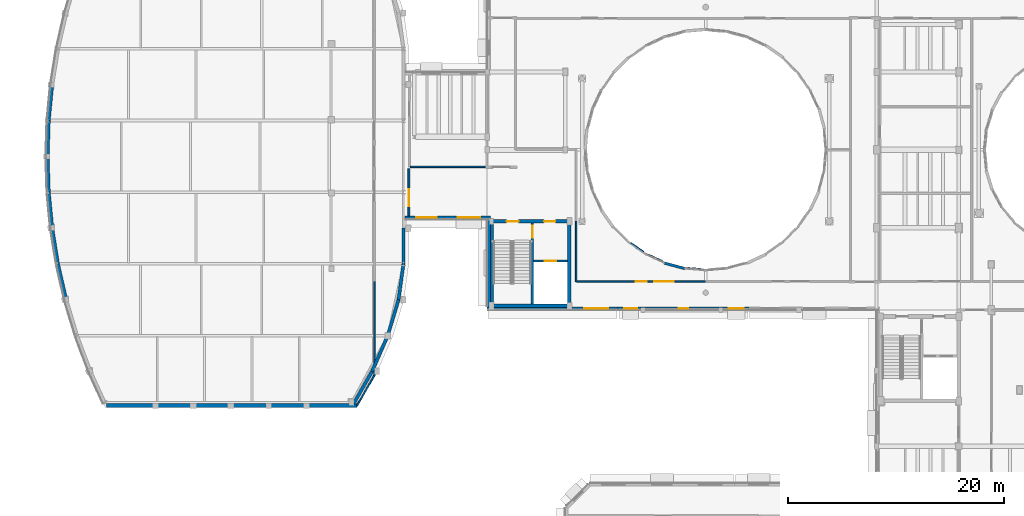
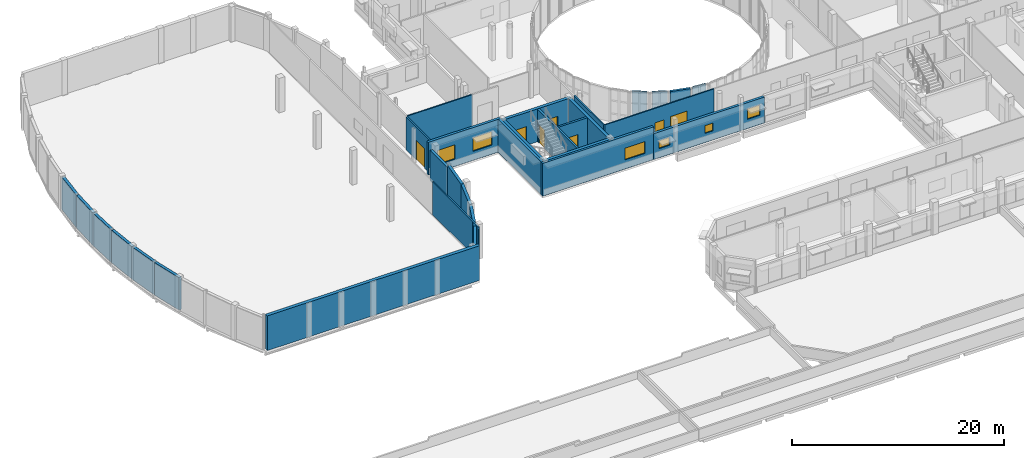
# One storey, part 75 of 105: 32 walls, 7 windows, 6 doors, 13 openings.
"""IFC4 building model written with IfcOpenShell, lengths in metres."""

from ifc_helpers import new_model, si_unit, direction, frame, frame_2d, origin, place, context, subcontext, project, spatial, rectangle, extrude, material, layer, layer_set, type_object, element, fill, save


model = new_model("IFC4")

# Units and contexts
model_context = context("Model", 3, precision=1e-05, world=origin(), true_north=direction((0.0, 1.0)))
body_context = subcontext(model_context, "Body", "Model", "MODEL_VIEW")
ifc_project = project(units=[si_unit("LENGTHUNIT", "METRE"), si_unit("AREAUNIT", "SQUARE_METRE"), si_unit("VOLUMEUNIT", "CUBIC_METRE"), si_unit("PLANEANGLEUNIT", "RADIAN"), si_unit("MASSUNIT", "GRAM", prefix="KILO")], contexts=[model_context])

# Site, building, storey
site_placement = place(None, origin())
site = spatial("IfcSite", under=ifc_project, at=site_placement, CompositionType="ELEMENT")
building_placement = place(site_placement, origin())
building = spatial("IfcBuilding", under=site, at=building_placement, Name="Kelanivale Promenade Academy", CompositionType="ELEMENT")
storey_placement = place(building_placement, frame((0.0, 0.0, 4.199951171875)))
storey = spatial("IfcBuildingStorey", under=building, at=storey_placement, Name="L01", CompositionType="ELEMENT", Elevation=4.199951171875)

# Wall
ifc_material_1 = material(Name="Concrete C40/50", Category="concrete")
ifc_layer_1 = layer(ifc_material_1, 0.330078125)
ifc_layer_set_1 = layer_set([ifc_layer_1], Name="Concrete C40/50")
wall_type_1 = type_object("IfcWallType", Name="CW-S1 Wall 330mm", PredefinedType="SHEAR", material=ifc_layer_set_1)
wall_1_placement = place(storey_placement, frame((43.43505859375, 42.39990234375, 0.0), z_axis=(0.0, 0.0, 1.0), x_axis=(1.0, 0.0, 0.0)))
element("IfcWall", 1, at=wall_1_placement, inside=storey, type_object=wall_type_1, Name="CORE-6 RC shear wall S L01", PredefinedType="SHEAR", context=body_context, shape_type="SweptSolid", body=[
    extrude(rectangle(XDim=7.530029296875, YDim=0.330078125, at=frame_2d((3.76513671875, 0.0))), origin(), (0.0, 0.0, 1.0), 3.780029296875),
])

# Wall, openings, doors
wall_2_placement = place(storey_placement, frame((43.43505859375, 50.199951171875, 0.0), z_axis=(0.0, 0.0, 1.0), x_axis=(1.0, 0.0, 0.0)))
wall_2 = element("IfcWall", 2, at=wall_2_placement, inside=storey, type_object=wall_type_1, Name="CORE-6 RC shear wall N L01", PredefinedType="SHEAR", context=body_context, shape_type="SweptSolid", body=[
    extrude(rectangle(XDim=7.530029296875, YDim=0.330078125, at=frame_2d((3.76513671875, 0.0))), origin(), (0.0, 0.0, 1.0), 3.780029296875),
])
opening_1_placement = place(wall_2_placement, frame((5.014892578125, 0.0, 0.0)))
opening_1 = element("IfcOpeningElement", 3, at=opening_1_placement, cuts=wall_2, Name="Opening FD-CORE-6-LB-L01", PredefinedType="OPENING", context=body_context, shape_type="SweptSolid", body=[
    extrude(rectangle(XDim=1.050048828125, YDim=2.14990234375, at=frame_2d((0.52490234375, 1.074951171875))), frame((0.0, 0.175048828125, 0.0), z_axis=(0.0, -1.0, 0.0), x_axis=(1.0, 0.0, 0.0)), (0.0, 0.0, 1.0), 0.35009765625),
])
opening_2_placement = place(wall_2_placement, frame((1.56494140625, 0.0, 0.0)))
opening_2 = element("IfcOpeningElement", 4, at=opening_2_placement, cuts=wall_2, Name="Opening FD-CORE-6-ST-L01", PredefinedType="OPENING", context=body_context, shape_type="SweptSolid", body=[
    extrude(rectangle(XDim=1.10009765625, YDim=2.14990234375, at=frame_2d((0.550048828125, 1.074951171875))), frame((0.0, 0.175048828125, 0.0), z_axis=(0.0, -1.0, 0.0), x_axis=(1.0, 0.0, 0.0)), (0.0, 0.0, 1.0), 0.35009765625),
])
ifc_material_2 = material(Name="Fire-rated steel-core teak veneer", Category="steel")
door_type_1 = type_object("IfcDoorType", Name="DT-F01 Door 1100x2150", OperationType="NOTDEFINED", PredefinedType="DOOR", material=ifc_material_2)
door_1_placement = place(opening_2_placement, origin())
door_1 = element("IfcDoor", 5, at=door_1_placement, inside=storey, type_object=door_type_1, Name="CORE-6 protected stair fire door L01", OperationType="SINGLE_SWING_LEFT", OverallHeight=2.14990234375, OverallWidth=1.10009765625, PredefinedType="DOOR", context=body_context, shape_type="SweptSolid", body=[
    extrude(rectangle(XDim=1.10009765625, YDim=2.14990234375, at=frame_2d((0.550048828125, 1.074951171875))), frame((0.0, 0.02490234375, 0.0), z_axis=(0.0, -1.0, 0.0), x_axis=(1.0, 0.0, 0.0)), (0.0, 0.0, 1.0), 0.050048828125),
])
fill(opening_2, door_1)
door_type_2 = type_object("IfcDoorType", Name="DT-F03 Door 1050x2150", OperationType="NOTDEFINED", PredefinedType="DOOR", material=ifc_material_2)
door_2_placement = place(opening_1_placement, origin())
door_2 = element("IfcDoor", 6, at=door_2_placement, inside=storey, type_object=door_type_2, Name="CORE-6 corridor-to-lobby fire door L01", OperationType="SINGLE_SWING_RIGHT", OverallHeight=2.14990234375, OverallWidth=1.050048828125, PredefinedType="DOOR", context=body_context, shape_type="SweptSolid", body=[
    extrude(rectangle(XDim=1.050048828125, YDim=2.14990234375, at=frame_2d((0.52490234375, 1.074951171875))), frame((0.0, 0.02490234375, 0.0), z_axis=(0.0, -1.0, 0.0), x_axis=(1.0, 0.0, 0.0)), (0.0, 0.0, 1.0), 0.050048828125),
])
fill(opening_1, door_2)

# Walls
for number, where, z_axis, x_axis, name in (
    (7, (43.60009765625, 42.56494140625, 0.0), (0.0, 0.0, 1.0), (0.0, 1.0, 0.0), "CORE-6 RC shear wall W L01"),
    (8, (50.800048828125, 42.56494140625, 0.0), (0.0, 0.0, 1.0), (0.0, 1.0, 0.0), "CORE-6 RC shear wall E L01"),
):
    element("IfcWall", number, at=place(storey_placement, frame(where, z_axis=z_axis, x_axis=x_axis)), inside=storey, type_object=wall_type_1, Name=name, PredefinedType="SHEAR", context=body_context, shape_type="SweptSolid", body=[
        extrude(rectangle(XDim=7.469970703125, YDim=0.330078125, at=frame_2d((3.73486328125, 0.0))), origin(), (0.0, 0.0, 1.0), 3.780029296875),
    ])

# Wall, opening, door
ifc_layer_2 = layer(ifc_material_1, 0.22509765625)
ifc_layer_set_2 = layer_set([ifc_layer_2], Name="Concrete C40/50")
wall_type_2 = type_object("IfcWallType", Name="CW-S2 Wall 225mm", PredefinedType="SHEAR", material=ifc_layer_set_2)
wall_3_placement = place(storey_placement, frame((47.485107421875, 46.530029296875, 0.0), z_axis=(0.0, 0.0, 1.0), x_axis=(1.0, 0.0, 0.0)))
wall_3 = element("IfcWall", 9, at=wall_3_placement, inside=storey, type_object=wall_type_2, Name="CORE-6 lift shaft front RC wall L01", PredefinedType="SHEAR", context=body_context, shape_type="SweptSolid", body=[
    extrude(rectangle(XDim=3.14990234375, YDim=0.22509765625, at=frame_2d((1.574951171875, 0.0))), origin(), (0.0, 0.0, 1.0), 3.780029296875),
])
opening_3_placement = place(wall_3_placement, frame((1.050048828125, 0.0, 0.0)))
opening_3 = element("IfcOpeningElement", 10, at=opening_3_placement, cuts=wall_3, Name="Opening LD-LF-P4-L01", PredefinedType="OPENING", context=body_context, shape_type="SweptSolid", body=[
    extrude(rectangle(XDim=1.050048828125, YDim=2.199951171875, at=frame_2d((0.52490234375, 1.10009765625))), frame((0.0, 0.12255859375, 0.0), z_axis=(0.0, -1.0, 0.0), x_axis=(1.0, 0.0, 0.0)), (0.0, 0.0, 1.0), 0.2451171875),
])
door_type_3 = type_object("IfcDoorType", Name="LD-PL1 Door 1050x2200", OperationType="NOTDEFINED", PredefinedType="DOOR", material=ifc_material_2)
door_3_placement = place(opening_3_placement, origin())
door_3 = element("IfcDoor", 11, at=door_3_placement, inside=storey, type_object=door_type_3, Name="Passenger lift landing door LD-LF-P4-L01", OperationType="SLIDING_TO_LEFT", OverallHeight=2.199951171875, OverallWidth=1.050048828125, PredefinedType="DOOR", context=body_context, shape_type="SweptSolid", body=[
    extrude(rectangle(XDim=1.050048828125, YDim=2.199951171875, at=frame_2d((0.52490234375, 1.10009765625))), frame((0.0, 0.02490234375, 0.0), z_axis=(0.0, -1.0, 0.0), x_axis=(1.0, 0.0, 0.0)), (0.0, 0.0, 1.0), 0.050048828125),
])
fill(opening_3, door_3)

ifc_layer_3 = layer(ifc_material_1, 0.219970703125)
ifc_layer_set_3 = layer_set([ifc_layer_3], Name="Concrete C40/50")
wall_type_3 = type_object("IfcWallType", Name="CW-S3 Wall 220mm", PredefinedType="SHEAR", material=ifc_layer_set_3)
wall_4_placement = place(storey_placement, frame((47.375, 42.56494140625, 0.0), z_axis=(0.0, 0.0, 1.0), x_axis=(0.0, 1.0, 0.0)))
wall_4 = element("IfcWall", 12, at=wall_4_placement, inside=storey, type_object=wall_type_3, Name="CORE-6 stair-lobby dividing RC wall L01", PredefinedType="SHEAR", context=body_context, shape_type="SweptSolid", body=[
    extrude(rectangle(XDim=7.469970703125, YDim=0.219970703125, at=frame_2d((3.73486328125, 0.0))), origin(), (0.0, 0.0, 1.0), 3.780029296875),
])
opening_4_placement = place(wall_4_placement, frame((6.1201171875, 0.0, 0.0)))
opening_4 = element("IfcOpeningElement", 13, at=opening_4_placement, cuts=wall_4, Name="Opening FD-CORE-6-SL-L01", PredefinedType="OPENING", context=body_context, shape_type="SweptSolid", body=[
    extrude(rectangle(XDim=1.10009765625, YDim=2.14990234375, at=frame_2d((0.550048828125, 1.074951171875))), frame((0.0, 0.1201171875, 0.0), z_axis=(0.0, -1.0, 0.0), x_axis=(1.0, 0.0, 0.0)), (0.0, 0.0, 1.0), 0.239990234375),
])
door_4_placement = place(opening_4_placement, origin())
door_4 = element("IfcDoor", 14, at=door_4_placement, inside=storey, type_object=door_type_1, Name="CORE-6 lobby-to-stair fire door L01", OperationType="SINGLE_SWING_LEFT", OverallHeight=2.14990234375, OverallWidth=1.10009765625, PredefinedType="DOOR", context=body_context, shape_type="SweptSolid", body=[
    extrude(rectangle(XDim=1.10009765625, YDim=2.14990234375, at=frame_2d((0.550048828125, 1.074951171875))), frame((0.0, 0.02490234375, 0.0), z_axis=(0.0, -1.0, 0.0), x_axis=(1.0, 0.0, 0.0)), (0.0, 0.0, 1.0), 0.050048828125),
])
fill(opening_4, door_4)

# Walls
ifc_layer_4 = layer(ifc_material_1, 0.360107421875)
ifc_layer_set_4 = layer_set([ifc_layer_4], Name="Concrete C40/50")
wall_type_4 = type_object("IfcWallType", Name="ESW-01 Wall 360mm", PredefinedType="SHEAR", material=ifc_layer_set_4)
wall_5_placement = place(storey_placement, frame((8.011962890625, 33.179931640625, 0.0), z_axis=(0.0, 0.0, 1.0), x_axis=(1.0, 0.0, 0.0)))
element("IfcWall", 15, at=wall_5_placement, inside=storey, type_object=wall_type_4, Name="Sports Hall Crescent Pavilion gable wall L01", PredefinedType="SHEAR", context=body_context, shape_type="SweptSolid", body=[
    extrude(rectangle(XDim=23.137939453125, YDim=0.360107421875, at=frame_2d((11.56884765625, 0.0))), origin(), (0.0, 0.0, 1.0), 4.0),
])
ifc_material_3 = material(Name="Insulated terracotta-clad masonry wall 300 mm", Category="masonry")
ifc_layer_5 = layer(ifc_material_3, 0.300048828125)
ifc_layer_set_5 = layer_set([ifc_layer_5], Name="Insulated terracotta-clad masonry wall 300 mm")
wall_type_5 = type_object("IfcWallType", Name="EW-01 Wall 300mm", PredefinedType="SOLIDWALL", material=ifc_layer_set_5)
wall_6_placement = place(storey_placement, frame((3.509033203125, 46.257080078125, 0.0), z_axis=(0.0, 0.0, 1.0), x_axis=(0.223259599234, -0.974759022195, 0.0)))
element("IfcWall", 16, at=wall_6_placement, inside=storey, type_object=wall_type_5, Name="Sports Hall Crescent Pavilion curved terracotta wall L01", PredefinedType="SOLIDWALL", context=body_context, shape_type="SweptSolid", body=[
    extrude(rectangle(XDim=3.399658203125, YDim=0.300048828125, at=frame_2d((1.69970703125, 0.0))), origin(), (0.0, 0.0, 1.0), 3.7451171875),
])
wall_7_placement = place(storey_placement, frame((2.97412109375, 49.571044921875, 0.0), z_axis=(0.0, 0.0, 1.0), x_axis=(0.159349054769, -0.987222304623, 0.0)))
element("IfcWall", 17, at=wall_7_placement, inside=storey, type_object=wall_type_5, Name="Sports Hall Crescent Pavilion curved terracotta wall L01", PredefinedType="SOLIDWALL", context=body_context, shape_type="SweptSolid", body=[
    extrude(rectangle(XDim=3.35693359375, YDim=0.300048828125, at=frame_2d((1.678466796875, 0.0))), origin(), (0.0, 0.0, 1.0), 3.7451171875),
])
wall_8_placement = place(storey_placement, frame((2.656005859375, 52.885986328125, 0.0), z_axis=(0.0, 0.0, 1.0), x_axis=(0.095525216858, -0.995427010355, 0.0)))
element("IfcWall", 18, at=wall_8_placement, inside=storey, type_object=wall_type_5, Name="Sports Hall Crescent Pavilion curved terracotta wall L01", PredefinedType="SOLIDWALL", context=body_context, shape_type="SweptSolid", body=[
    extrude(rectangle(XDim=3.330078125, YDim=0.300048828125, at=frame_2d((1.6650390625, 0.0))), origin(), (0.0, 0.0, 1.0), 3.7451171875),
])
for number, where, z_axis, x_axis, name in (
    (19, (2.550048828125, 56.199951171875, 0.0), (0.0, 0.0, 1.0), (0.031956559473, -0.999489258725, 0.0), "Sports Hall Crescent Pavilion curved terracotta wall L01"),
    (20, (2.656005859375, 59.513916015625, 0.0), (0.0, 0.0, 1.0), (-0.031956559473, -0.999489258725, 0.0), "Sports Hall Crescent Pavilion curved terracotta wall L01"),
):
    element("IfcWall", number, at=place(storey_placement, frame(where, z_axis=z_axis, x_axis=x_axis)), inside=storey, type_object=wall_type_5, Name=name, PredefinedType="SOLIDWALL", context=body_context, shape_type="SweptSolid", body=[
        extrude(rectangle(XDim=3.315673828125, YDim=0.300048828125, at=frame_2d((1.65771484375, 0.0))), origin(), (0.0, 0.0, 1.0), 3.7451171875),
    ])
wall_9_placement = place(storey_placement, frame((2.97412109375, 62.8291015625, 0.0), z_axis=(0.0, 0.0, 1.0), x_axis=(-0.095518246268, -0.995427679256, 0.0)))
element("IfcWall", 21, at=wall_9_placement, inside=storey, type_object=wall_type_5, Name="Sports Hall Crescent Pavilion curved terracotta wall L01", PredefinedType="SOLIDWALL", context=body_context, shape_type="SweptSolid", body=[
    extrude(rectangle(XDim=3.330322265625, YDim=0.300048828125, at=frame_2d((1.6650390625, 0.0))), origin(), (0.0, 0.0, 1.0), 3.7451171875),
])
wall_10_placement = place(storey_placement, frame((30.84912109375, 33.346923828125, 0.0), z_axis=(0.0, 0.0, 1.0), x_axis=(0.497345429475, 0.867552605771, 0.0)))
element("IfcWall", 22, at=wall_10_placement, inside=storey, type_object=wall_type_5, Name="Sports Hall Crescent Pavilion inner crescent wall L01", PredefinedType="SOLIDWALL", context=body_context, shape_type="SweptSolid", body=[
    extrude(rectangle(XDim=3.419921875, YDim=0.300048828125, at=frame_2d((1.7099609375, 0.0))), origin(), (0.0, 0.0, 1.0), 3.780029296875),
])
wall_11_placement = place(storey_placement, frame((32.550048828125, 36.31396484375, 0.0), z_axis=(0.0, 0.0, 1.0), x_axis=(0.400740958437, 0.916191401526, 0.0)))
element("IfcWall", 23, at=wall_11_placement, inside=storey, type_object=wall_type_5, Name="Sports Hall Crescent Pavilion inner crescent wall L01", PredefinedType="SOLIDWALL", context=body_context, shape_type="SweptSolid", body=[
    extrude(rectangle(XDim=3.6181640625, YDim=0.300048828125, at=frame_2d((1.80908203125, 0.0))), origin(), (0.0, 0.0, 1.0), 3.7451171875),
])
wall_12_placement = place(storey_placement, frame((34.0, 39.62890625, 0.0), z_axis=(0.0, 0.0, 1.0), x_axis=(0.288868004026, 0.957368934241, 0.0)))
element("IfcWall", 24, at=wall_12_placement, inside=storey, type_object=wall_type_5, Name="Sports Hall Crescent Pavilion inner crescent wall L01", PredefinedType="SOLIDWALL", context=body_context, shape_type="SweptSolid", body=[
    extrude(rectangle(XDim=3.461669921875, YDim=0.300048828125, at=frame_2d((1.73095703125, 0.0))), origin(), (0.0, 0.0, 1.0), 3.7451171875),
])
wall_13_placement = place(storey_placement, frame((35.0, 42.943115234375, 0.0), z_axis=(0.0, 0.0, 1.0), x_axis=(0.134539839792, 0.990908185206, 0.0)))
element("IfcWall", 25, at=wall_13_placement, inside=storey, type_object=wall_type_5, Name="Sports Hall Crescent Pavilion inner crescent wall L01", PredefinedType="SOLIDWALL", context=body_context, shape_type="SweptSolid", body=[
    extrude(rectangle(XDim=3.344482421875, YDim=0.300048828125, at=frame_2d((1.67236328125, 0.0))), origin(), (0.0, 0.0, 1.0), 3.7451171875),
])
wall_14_placement = place(storey_placement, frame((35.449951171875, 46.257080078125, 0.0), z_axis=(0.0, 0.0, 1.0), x_axis=(0.0, 1.0, 0.0)))
element("IfcWall", 26, at=wall_14_placement, inside=storey, type_object=wall_type_5, Name="Sports Hall Crescent Pavilion inner crescent wall L01", PredefinedType="SOLIDWALL", context=body_context, shape_type="SweptSolid", body=[
    extrude(rectangle(XDim=3.31396484375, YDim=0.300048828125, at=frame_2d((1.656982421875, 0.0))), origin(), (0.0, 0.0, 1.0), 3.47998046875),
])

# Wall, openings, windows
ifc_material_4 = material(Name="Insulated ivory stucco masonry wall 280 mm", Category="masonry")
ifc_layer_6 = layer(ifc_material_4, 0.280029296875)
ifc_layer_set_6 = layer_set([ifc_layer_6], Name="Insulated ivory stucco masonry wall 280 mm")
wall_type_6 = type_object("IfcWallType", Name="EW-02 Wall 280mm", PredefinedType="SOLIDWALL", material=ifc_layer_set_6)
wall_15_placement = place(storey_placement, frame((35.60009765625, 50.5400390625, 0.0), z_axis=(0.0, 0.0, 1.0), x_axis=(1.0, 0.0, 0.0)))
wall_15 = element("IfcWall", 27, at=wall_15_placement, inside=storey, type_object=wall_type_6, Name="L01 exterior facade wall EW-L01-ORT-0388", PredefinedType="SOLIDWALL", context=body_context, shape_type="SweptSolid", body=[
    extrude(rectangle(XDim=7.8798828125, YDim=0.280029296875, at=frame_2d((3.93994140625, 0.0))), origin(), (0.0, 0.0, 1.0), 3.780029296875),
])
opening_5_placement = place(wall_15_placement, frame((1.02001953125, 0.0, 0.85009765625)))
opening_5 = element("IfcOpeningElement", 28, at=opening_5_placement, cuts=wall_15, Name="Opening WT-26", PredefinedType="OPENING", context=body_context, shape_type="SweptSolid", body=[
    extrude(rectangle(XDim=1.89990234375, YDim=1.64990234375, at=frame_2d((0.949951171875, 0.824951171875))), frame((0.0, 0.14990234375, 0.0), z_axis=(0.0, -1.0, 0.0), x_axis=(1.0, 0.0, 0.0)), (0.0, 0.0, 1.0), 0.300048828125),
])
opening_6_placement = place(wall_15_placement, frame((4.885009765625, 0.0, 1.050048828125)))
opening_6 = element("IfcOpeningElement", 29, at=opening_6_placement, cuts=wall_15, Name="Opening WT-27", PredefinedType="OPENING", context=body_context, shape_type="SweptSolid", body=[
    extrude(rectangle(XDim=2.050048828125, YDim=1.550048828125, at=frame_2d((1.02490234375, 0.77490234375))), frame((0.0, 0.14990234375, 0.0), z_axis=(0.0, -1.0, 0.0), x_axis=(1.0, 0.0, 0.0)), (0.0, 0.0, 1.0), 0.300048828125),
])
ifc_material_5 = material(Name="Bronze anodised aluminium frame with low-E laminated glass", Category="aluminium")
window_type_1 = type_object("IfcWindowType", Name="WT-26 Window 1900x1650", PartitioningType="SINGLE_PANEL", PredefinedType="WINDOW", material=ifc_material_5)
window_1_placement = place(opening_5_placement, origin())
window_1 = element("IfcWindow", 30, at=window_1_placement, inside=storey, type_object=window_type_1, Name="Window WT-26", OverallHeight=1.64990234375, OverallWidth=1.89990234375, PartitioningType="SINGLE_PANEL", PredefinedType="WINDOW", context=body_context, shape_type="SweptSolid", body=[
    extrude(rectangle(XDim=1.89990234375, YDim=1.64990234375, at=frame_2d((0.949951171875, 0.824951171875))), frame((0.0, 0.030029296875, 0.0), z_axis=(0.0, -1.0, 0.0), x_axis=(1.0, 0.0, 0.0)), (0.0, 0.0, 1.0), 0.06005859375),
])
fill(opening_5, window_1)
window_type_2 = type_object("IfcWindowType", Name="WT-27 Window 2050x1550", PartitioningType="SINGLE_PANEL", PredefinedType="WINDOW", material=ifc_material_5)
window_2_placement = place(opening_6_placement, origin())
window_2 = element("IfcWindow", 31, at=window_2_placement, inside=storey, type_object=window_type_2, Name="Window WT-27", OverallHeight=1.550048828125, OverallWidth=2.050048828125, PartitioningType="SINGLE_PANEL", PredefinedType="WINDOW", context=body_context, shape_type="SweptSolid", body=[
    extrude(rectangle(XDim=2.050048828125, YDim=1.550048828125, at=frame_2d((1.02490234375, 0.77490234375))), frame((0.0, 0.030029296875, 0.0), z_axis=(0.0, -1.0, 0.0), x_axis=(1.0, 0.0, 0.0)), (0.0, 0.0, 1.0), 0.06005859375),
])
fill(opening_6, window_2)

# Wall
wall_16_placement = place(storey_placement, frame((43.340087890625, 50.39990234375, 0.0), z_axis=(0.0, 0.0, 1.0), x_axis=(0.0, -1.0, 0.0)))
element("IfcWall", 32, at=wall_16_placement, inside=storey, type_object=wall_type_6, Name="L01 exterior facade wall EW-L01-ORT-0389", PredefinedType="SOLIDWALL", context=body_context, shape_type="SweptSolid", body=[
    extrude(rectangle(XDim=8.119873046875, YDim=0.280029296875, at=frame_2d((4.06005859375, 0.0))), origin(), (0.0, 0.0, 1.0), 3.780029296875),
])

# Wall, opening, window
wall_17_placement = place(storey_placement, frame((43.199951171875, 42.139892578125, 0.0), z_axis=(0.0, 0.0, 1.0), x_axis=(1.0, 0.0, 0.0)))
wall_17 = element("IfcWall", 33, at=wall_17_placement, inside=storey, type_object=wall_type_6, Name="L01 exterior facade wall EW-L01-ORT-0390", PredefinedType="SOLIDWALL", context=body_context, shape_type="SweptSolid", body=[
    extrude(rectangle(XDim=12.093017578125, YDim=0.280029296875, at=frame_2d((6.04638671875, 0.0))), origin(), (0.0, 0.0, 1.0), 3.780029296875),
])
opening_7_placement = place(wall_17_placement, frame((8.97705078125, 0.0, 1.050048828125)))
opening_7 = element("IfcOpeningElement", 34, at=opening_7_placement, cuts=wall_17, Name="Opening WT-08", PredefinedType="OPENING", context=body_context, shape_type="SweptSolid", body=[
    extrude(rectangle(XDim=2.199951171875, YDim=1.35009765625, at=frame_2d((1.10009765625, 0.675048828125))), frame((0.0, 0.14990234375, 0.0), z_axis=(0.0, -1.0, 0.0), x_axis=(1.0, 0.0, 0.0)), (0.0, 0.0, 1.0), 0.300048828125),
])
window_type_3 = type_object("IfcWindowType", Name="WT-08 Window 2200x1350", PartitioningType="SINGLE_PANEL", PredefinedType="WINDOW", material=ifc_material_5)
window_3_placement = place(opening_7_placement, origin())
window_3 = element("IfcWindow", 35, at=window_3_placement, inside=storey, type_object=window_type_3, Name="Window WT-08", OverallHeight=1.35009765625, OverallWidth=2.199951171875, PartitioningType="SINGLE_PANEL", PredefinedType="WINDOW", context=body_context, shape_type="SweptSolid", body=[
    extrude(rectangle(XDim=2.199951171875, YDim=1.35009765625, at=frame_2d((1.10009765625, 0.675048828125))), frame((0.0, 0.030029296875, 0.0), z_axis=(0.0, -1.0, 0.0), x_axis=(1.0, 0.0, 0.0)), (0.0, 0.0, 1.0), 0.06005859375),
])
fill(opening_7, window_3)

# Wall, openings, windows
wall_18_placement = place(storey_placement, frame((55.29296875, 42.139892578125, 0.0), z_axis=(0.0, 0.0, 1.0), x_axis=(1.0, 0.0, 0.0)))
wall_18 = element("IfcWall", 36, at=wall_18_placement, inside=storey, type_object=wall_type_6, Name="L01 exterior facade wall EW-L01-ORT-0391", PredefinedType="SOLIDWALL", context=body_context, shape_type="SweptSolid", body=[
    extrude(rectangle(XDim=12.093994140625, YDim=0.280029296875, at=frame_2d((6.046875, 0.0))), origin(), (0.0, 0.0, 1.0), 2.97509765625),
])
opening_8_placement = place(wall_18_placement, frame((0.56591796875, 0.0, 1.050048828125)))
opening_8 = element("IfcOpeningElement", 37, at=opening_8_placement, cuts=wall_18, Name="Opening WT-09", PredefinedType="OPENING", context=body_context, shape_type="SweptSolid", body=[
    extrude(rectangle(XDim=1.199951171875, YDim=0.89990234375, at=frame_2d((0.60009765625, 0.449951171875))), frame((0.0, 0.14990234375, 0.0), z_axis=(0.0, -1.0, 0.0), x_axis=(1.0, 0.0, 0.0)), (0.0, 0.0, 1.0), 0.300048828125),
])
opening_9_placement = place(wall_18_placement, frame((5.596923828125, 0.0, 1.050048828125)))
opening_9 = element("IfcOpeningElement", 38, at=opening_9_placement, cuts=wall_18, Name="Opening WT-10", PredefinedType="OPENING", context=body_context, shape_type="SweptSolid", body=[
    extrude(rectangle(XDim=0.89990234375, YDim=0.89990234375, at=frame_2d((0.449951171875, 0.449951171875))), frame((0.0, 0.14990234375, 0.0), z_axis=(0.0, -1.0, 0.0), x_axis=(1.0, 0.0, 0.0)), (0.0, 0.0, 1.0), 0.300048828125),
])
opening_10_placement = place(wall_18_placement, frame((10.2529296875, 0.0, 1.050048828125)))
opening_10 = element("IfcOpeningElement", 39, at=opening_10_placement, cuts=wall_18, Name="Opening WT-34", PredefinedType="OPENING", context=body_context, shape_type="SweptSolid", body=[
    extrude(rectangle(XDim=1.35009765625, YDim=1.199951171875, at=frame_2d((0.675048828125, 0.60009765625))), frame((0.0, 0.14990234375, 0.0), z_axis=(0.0, -1.0, 0.0), x_axis=(1.0, 0.0, 0.0)), (0.0, 0.0, 1.0), 0.300048828125),
])
window_type_4 = type_object("IfcWindowType", Name="WT-09 Window 1200x900", PartitioningType="SINGLE_PANEL", PredefinedType="WINDOW", material=ifc_material_5)
window_4_placement = place(opening_8_placement, origin())
window_4 = element("IfcWindow", 40, at=window_4_placement, inside=storey, type_object=window_type_4, Name="Window WT-09", OverallHeight=0.89990234375, OverallWidth=1.199951171875, PartitioningType="SINGLE_PANEL", PredefinedType="WINDOW", context=body_context, shape_type="SweptSolid", body=[
    extrude(rectangle(XDim=1.199951171875, YDim=0.89990234375, at=frame_2d((0.60009765625, 0.449951171875))), frame((0.0, 0.030029296875, 0.0), z_axis=(0.0, -1.0, 0.0), x_axis=(1.0, 0.0, 0.0)), (0.0, 0.0, 1.0), 0.06005859375),
])
fill(opening_8, window_4)
window_type_5 = type_object("IfcWindowType", Name="WT-10 Window 900x900", PartitioningType="SINGLE_PANEL", PredefinedType="WINDOW", material=ifc_material_5)
window_5_placement = place(opening_9_placement, origin())
window_5 = element("IfcWindow", 41, at=window_5_placement, inside=storey, type_object=window_type_5, Name="Window WT-10", OverallHeight=0.89990234375, OverallWidth=0.89990234375, PartitioningType="SINGLE_PANEL", PredefinedType="WINDOW", context=body_context, shape_type="SweptSolid", body=[
    extrude(rectangle(XDim=0.89990234375, YDim=0.89990234375, at=frame_2d((0.449951171875, 0.449951171875))), frame((0.0, 0.030029296875, 0.0), z_axis=(0.0, -1.0, 0.0), x_axis=(1.0, 0.0, 0.0)), (0.0, 0.0, 1.0), 0.06005859375),
])
fill(opening_9, window_5)
window_type_6 = type_object("IfcWindowType", Name="WT-34 Window 1350x1200", PartitioningType="SINGLE_PANEL", PredefinedType="WINDOW", material=ifc_material_5)
window_6_placement = place(opening_10_placement, origin())
window_6 = element("IfcWindow", 42, at=window_6_placement, inside=storey, type_object=window_type_6, Name="Window WT-34", OverallHeight=1.199951171875, OverallWidth=1.35009765625, PartitioningType="SINGLE_PANEL", PredefinedType="WINDOW", context=body_context, shape_type="SweptSolid", body=[
    extrude(rectangle(XDim=1.35009765625, YDim=1.199951171875, at=frame_2d((0.675048828125, 0.60009765625))), frame((0.0, 0.030029296875, 0.0), z_axis=(0.0, -1.0, 0.0), x_axis=(1.0, 0.0, 0.0)), (0.0, 0.0, 1.0), 0.06005859375),
])
fill(opening_10, window_6)

# Wall
ifc_material_6 = material(Name="Insulated courtyard stucco masonry wall 240 mm", Category="masonry")
ifc_layer_7 = layer(ifc_material_6, 0.239990234375)
ifc_layer_set_7 = layer_set([ifc_layer_7], Name="Insulated courtyard stucco masonry wall 240 mm")
wall_type_7 = type_object("IfcWallType", Name="EW-04 Wall 240mm", PredefinedType="SOLIDWALL", material=ifc_layer_set_7)
wall_19_placement = place(storey_placement, frame((59.577880859375, 46.333984375, 0.0), z_axis=(0.0, 0.0, 1.0), x_axis=(0.966063733258, -0.258303819724, 0.0)))
element("IfcWall", 43, at=wall_19_placement, inside=storey, type_object=wall_type_7, Name="L01 round courtyard stucco wall", PredefinedType="SOLIDWALL", context=body_context, shape_type="SweptSolid", body=[
    extrude(rectangle(XDim=1.966796875, YDim=0.239990234375, at=frame_2d((0.9833984375, 0.0))), origin(), (0.0, 0.0, 1.0), 3.780029296875),
])

# Wall, opening, door
ifc_material_7 = material(Name="Autoclaved masonry blockwork 180 mm", Category="masonry")
ifc_layer_8 = layer(ifc_material_7, 0.179931640625)
ifc_layer_set_8 = layer_set([ifc_layer_8], Name="Autoclaved masonry blockwork 180 mm")
wall_type_8 = type_object("IfcWallType", Name="IW-02 Wall 180mm", PredefinedType="PARTITIONING", material=ifc_layer_set_8)
wall_20_placement = place(storey_placement, frame((35.9599609375, 50.677978515625, 0.0), z_axis=(0.0, 0.0, 1.0), x_axis=(0.0, 1.0, 0.0)))
wall_20 = element("IfcWall", 44, at=wall_20_placement, inside=storey, type_object=wall_type_8, Name="L01 movement-joint corridor fire wall W", PredefinedType="PARTITIONING", context=body_context, shape_type="SweptSolid", body=[
    extrude(rectangle(XDim=4.382080078125, YDim=0.179931640625, at=frame_2d((2.19091796875, 0.0))), origin(), (0.0, 0.0, 1.0), 3.780029296875),
])
opening_11_placement = place(wall_20_placement, frame((0.89990234375, 0.0, 0.0)))
opening_11 = element("IfcOpeningElement", 45, at=opening_11_placement, cuts=wall_20, Name="Opening FD-L01-MJ-W", PredefinedType="OPENING", context=body_context, shape_type="SweptSolid", body=[
    extrude(rectangle(XDim=1.60009765625, YDim=2.25, at=frame_2d((0.800048828125, 1.125))), frame((0.0, 0.10009765625, 0.0), z_axis=(0.0, -1.0, 0.0), x_axis=(1.0, 0.0, 0.0)), (0.0, 0.0, 1.0), 0.199951171875),
])
door_type_4 = type_object("IfcDoorType", Name="DT-F09 Door 1600x2250", OperationType="NOTDEFINED", PredefinedType="DOOR", material=ifc_material_2)
door_5_placement = place(opening_11_placement, origin())
door_5 = element("IfcDoor", 46, at=door_5_placement, inside=storey, type_object=door_type_4, Name="L01 movement-joint corridor double fire door W", OperationType="DOUBLE_DOOR_SINGLE_SWING", OverallHeight=2.25, OverallWidth=1.60009765625, PredefinedType="DOOR", context=body_context, shape_type="SweptSolid", body=[
    extrude(rectangle(XDim=1.60009765625, YDim=2.25, at=frame_2d((0.800048828125, 1.125))), frame((0.0, 0.02490234375, 0.0), z_axis=(0.0, -1.0, 0.0), x_axis=(1.0, 0.0, 0.0)), (0.0, 0.0, 1.0), 0.050048828125),
])
fill(opening_11, door_5)

# Walls
ifc_material_8 = material(Name="Acoustic double-stud gypsum board partition 140 mm", Category="masonry")
ifc_layer_9 = layer(ifc_material_8, 0.139892578125)
ifc_layer_set_9 = layer_set([ifc_layer_9], Name="Acoustic double-stud gypsum board partition 140 mm")
wall_type_9 = type_object("IfcWallType", Name="IW-04 Wall 140mm", PredefinedType="PARTITIONING", material=ifc_layer_set_9)
wall_21_placement = place(storey_placement, frame((31.14892578125, 33.139892578125, 0.0), z_axis=(0.0, 0.0, 1.0), x_axis=(0.497558552909, 0.867430392843, 0.0)))
element("IfcWall", 47, at=wall_21_placement, inside=storey, type_object=wall_type_9, Name="L01 partition Multi-Purpose Sports Hall", PredefinedType="PARTITIONING", context=body_context, shape_type="SweptSolid", body=[
    extrude(rectangle(XDim=3.258056640625, YDim=0.139892578125, at=frame_2d((1.62890625, 0.0))), origin(), (0.0, 0.0, 1.0), 3.780029296875),
])
wall_22_placement = place(storey_placement, frame((32.77001953125, 35.966064453125, 0.0), z_axis=(0.0, 0.0, 1.0), x_axis=(0.0, 1.0, 0.0)))
element("IfcWall", 48, at=wall_22_placement, inside=storey, type_object=wall_type_9, Name="L01 partition Multi-Purpose Sports Hall", PredefinedType="PARTITIONING", context=body_context, shape_type="SweptSolid", body=[
    extrude(rectangle(XDim=8.663818359375, YDim=0.139892578125, at=frame_2d((4.33203125, 0.0))), origin(), (0.0, 0.0, 1.0), 3.780029296875),
])
wall_23_placement = place(storey_placement, frame((36.097900390625, 55.22998046875, 0.0), z_axis=(0.0, 0.0, 1.0), x_axis=(1.0, 0.0, 0.0)))
element("IfcWall", 49, at=wall_23_placement, inside=storey, type_object=wall_type_9, Name="L01 partition Referee and Coaching Room", PredefinedType="PARTITIONING", context=body_context, shape_type="SweptSolid", body=[
    extrude(rectangle(XDim=7.072021484375, YDim=0.139892578125, at=frame_2d((3.5361328125, 0.0))), origin(), (0.0, 0.0, 1.0), 3.760009765625),
])
wall_24_placement = place(storey_placement, frame((51.429931640625, 50.22998046875, 0.0), z_axis=(0.0, 0.0, 1.0), x_axis=(0.0, -1.0, 0.0)))
element("IfcWall", 50, at=wall_24_placement, inside=storey, type_object=wall_type_9, Name="L01 partition Junior Classroom West A", PredefinedType="PARTITIONING", context=body_context, shape_type="SweptSolid", body=[
    extrude(rectangle(XDim=5.60009765625, YDim=0.139892578125, at=frame_2d((2.800048828125, 0.0))), origin(), (0.0, 0.0, 1.0), 3.775146484375),
])

# Wall, openings, door, window
wall_25_placement = place(storey_placement, frame((51.498046875, 44.6298828125, 0.0), z_axis=(0.0, 0.0, 1.0), x_axis=(1.0, 0.0, 0.0)))
wall_25 = element("IfcWall", 51, at=wall_25_placement, inside=storey, type_object=wall_type_9, Name="L01 partition Junior Classroom West A", PredefinedType="PARTITIONING", context=body_context, shape_type="SweptSolid", body=[
    extrude(rectangle(XDim=11.8720703125, YDim=0.139892578125, at=frame_2d((5.93603515625, 0.0))), origin(), (0.0, 0.0, 1.0), 3.775146484375),
])
opening_12_placement = place(wall_25_placement, frame((5.43603515625, 0.0, 0.0)))
opening_12 = element("IfcOpeningElement", 52, at=opening_12_placement, cuts=wall_25, Name="Opening ID-L01-081", PredefinedType="OPENING", context=body_context, shape_type="SweptSolid", body=[
    extrude(rectangle(XDim=1.0, YDim=2.10009765625, at=frame_2d((0.5, 1.050048828125))), frame((0.0, 0.080078125, 0.0), z_axis=(0.0, -1.0, 0.0), x_axis=(1.0, 0.0, 0.0)), (0.0, 0.0, 1.0), 0.159912109375),
])
opening_13_placement = place(wall_25_placement, frame((7.135986328125, 0.0, 1.050048828125)))
opening_13 = element("IfcOpeningElement", 53, at=opening_13_placement, cuts=wall_25, Name="Opening WT-I02", PredefinedType="OPENING", context=body_context, shape_type="SweptSolid", body=[
    extrude(rectangle(XDim=1.800048828125, YDim=1.199951171875, at=frame_2d((0.89990234375, 0.60009765625))), frame((0.0, 0.080078125, 0.0), z_axis=(0.0, -1.0, 0.0), x_axis=(1.0, 0.0, 0.0)), (0.0, 0.0, 1.0), 0.159912109375),
])
ifc_material_9 = material(Name="Solid-core tropical teak timber", Category="wood")
door_type_5 = type_object("IfcDoorType", Name="DT-I01 Door 1000x2100", OperationType="NOTDEFINED", PredefinedType="DOOR", material=ifc_material_9)
door_6_placement = place(opening_12_placement, origin())
door_6 = element("IfcDoor", 54, at=door_6_placement, inside=storey, type_object=door_type_5, Name="Junior Classroom West A door ID-L01-081", OperationType="SINGLE_SWING_LEFT", OverallHeight=2.10009765625, OverallWidth=1.0, PredefinedType="DOOR", context=body_context, shape_type="SweptSolid", body=[
    extrude(rectangle(XDim=1.0, YDim=2.10009765625, at=frame_2d((0.5, 1.050048828125))), frame((0.0, 0.02490234375, 0.0), z_axis=(0.0, -1.0, 0.0), x_axis=(1.0, 0.0, 0.0)), (0.0, 0.0, 1.0), 0.050048828125),
])
fill(opening_12, door_6)
window_type_7 = type_object("IfcWindowType", Name="WT-I02 Window 1800x1200", PartitioningType="SINGLE_PANEL", PredefinedType="WINDOW", material=ifc_material_5)
window_7_placement = place(opening_13_placement, origin())
window_7 = element("IfcWindow", 55, at=window_7_placement, inside=storey, type_object=window_type_7, Name="Interior observation window WT-I02", OverallHeight=1.199951171875, OverallWidth=1.800048828125, PartitioningType="SINGLE_PANEL", PredefinedType="WINDOW", context=body_context, shape_type="SweptSolid", body=[
    extrude(rectangle(XDim=1.800048828125, YDim=1.199951171875, at=frame_2d((0.89990234375, 0.60009765625))), frame((0.0, 0.030029296875, 0.0), z_axis=(0.0, -1.0, 0.0), x_axis=(1.0, 0.0, 0.0)), (0.0, 0.0, 1.0), 0.06005859375),
])
fill(opening_13, window_7)

# Walls
wall_26_placement = place(storey_placement, frame((63.123046875, 45.75390625, 0.0), z_axis=(0.0, 0.0, 1.0), x_axis=(-0.996215560037, 0.086916960031, 0.0)))
element("IfcWall", 56, at=wall_26_placement, inside=storey, type_object=wall_type_9, Name="L01 partition Junior Classroom West A", PredefinedType="PARTITIONING", context=body_context, shape_type="SweptSolid", body=[
    extrude(rectangle(XDim=1.393310546875, YDim=0.139892578125, at=frame_2d((0.69677734375, 0.0))), origin(), (0.0, 0.0, 1.0), 3.775146484375),
])
wall_27_placement = place(storey_placement, frame((59.37890625, 46.506103515625, 0.0), z_axis=(0.0, 0.0, 1.0), x_axis=(-0.906002021568, 0.423273359561, 0.0)))
element("IfcWall", 57, at=wall_27_placement, inside=storey, type_object=wall_type_9, Name="L01 partition Junior Classroom West A", PredefinedType="PARTITIONING", context=body_context, shape_type="SweptSolid", body=[
    extrude(rectangle(XDim=1.41259765625, YDim=0.139892578125, at=frame_2d((0.706298828125, 0.0))), origin(), (0.0, 0.0, 1.0), 3.775146484375),
])
wall_28_placement = place(storey_placement, frame((57.653076171875, 47.361083984375, 0.0), z_axis=(0.0, 0.0, 1.0), x_axis=(-0.819077743108, 0.57368253481, 0.0)))
element("IfcWall", 58, at=wall_28_placement, inside=storey, type_object=wall_type_9, Name="L01 partition Junior Classroom West A", PredefinedType="PARTITIONING", context=body_context, shape_type="SweptSolid", body=[
    extrude(rectangle(XDim=1.413818359375, YDim=0.139892578125, at=frame_2d((0.70703125, 0.0))), origin(), (0.0, 0.0, 1.0), 3.775146484375),
])

save(model, "model.ifc")
